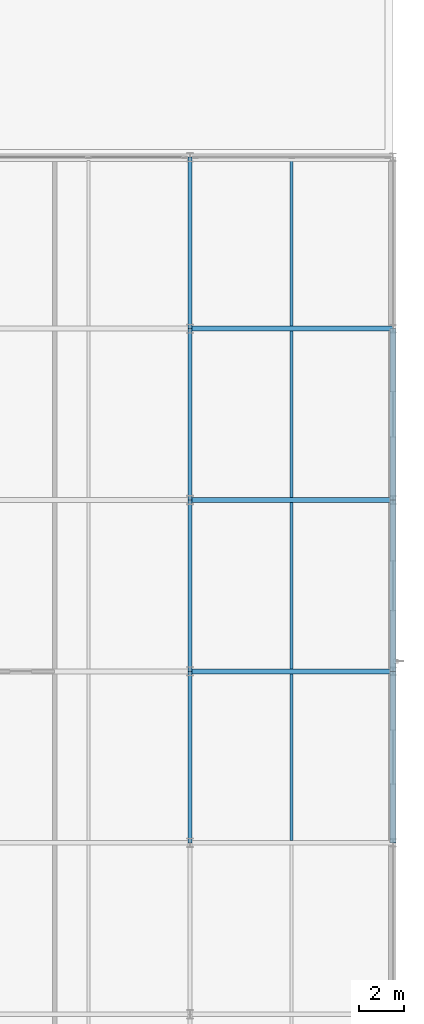
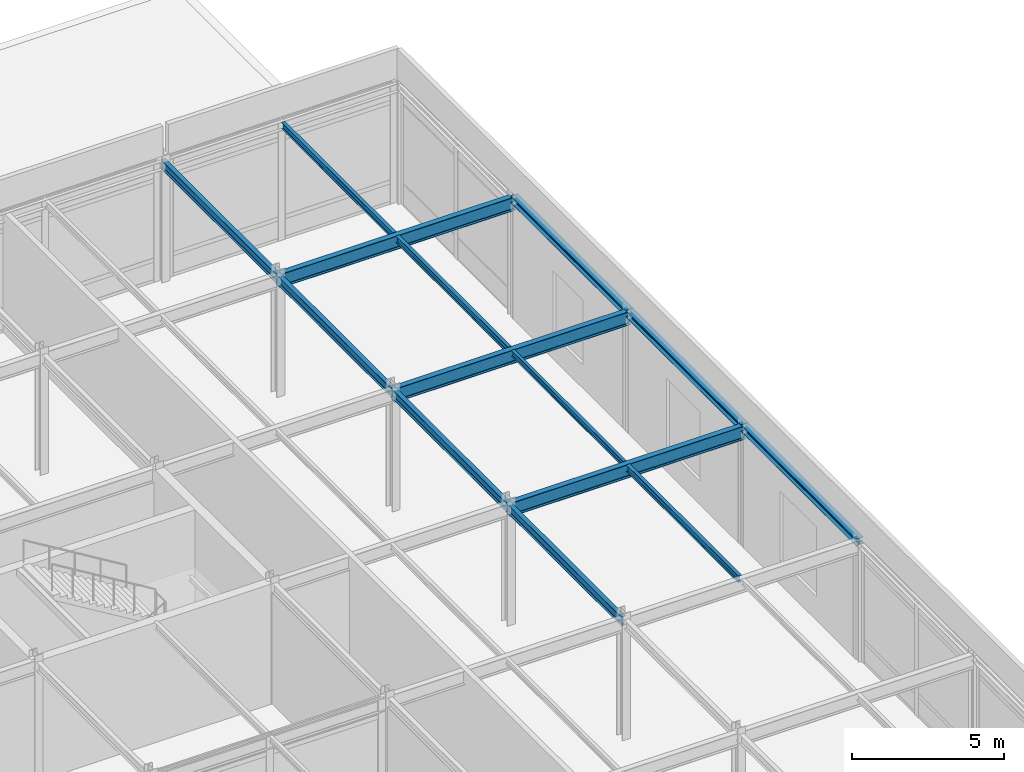
# One storey, part 47 of 79: 14 beams.
"""IFC4 building model written with IfcOpenShell, lengths in metres."""

import ifcopenshell
import ifcopenshell.guid

model = None  # the IFC model being written
_history = None  # IfcOwnerHistory: only IFC2X3 demands one
_inside = {}  # id of a spatial element -> (the spatial element, [elements in it])
_under = {}  # id of a project, library or spatial element -> (it, [spatial elements below it])
_declared = {}  # id of a project -> (the project, [libraries it declares])
_typed = {}  # id of a type object -> (the type object, [elements of that type])
_made_of = {}  # id of a material, layer set ... -> (it, [elements and type objects made of it])


def new_model(schema):
    """Start an empty IFC model of exactly this schema.

    Asked for "IFC4X3", IfcOpenShell would pick the latest addendum, in which some entities
    have other attributes; the version numbers below select the first issue.
    IFC2X3 requires an IfcOwnerHistory on every rooted entity: one is made here for all.
    """
    global model, _history
    if schema == "IFC4X3":
        model = ifcopenshell.file(schema_version=(4, 3, 0, 0))
    else:
        model = ifcopenshell.file(schema=schema)
    _inside.clear()
    _under.clear()
    _declared.clear()
    _typed.clear()
    _made_of.clear()
    _history = None
    if model.schema == "IFC2X3":
        org = make("IfcOrganization", Name="unknown")
        user = make(
            "IfcPersonAndOrganization",
            ThePerson=make("IfcPerson", FamilyName="unknown"),
            TheOrganization=org,
        )
        app = make(
            "IfcApplication",
            ApplicationDeveloper=org,
            Version="unknown",
            ApplicationFullName="unknown",
            ApplicationIdentifier="unknown",
        )
        _history = make(
            "IfcOwnerHistory",
            OwningUser=user,
            OwningApplication=app,
            ChangeAction="ADDED",
            CreationDate=0,
        )
    return model


def make(cls, **values):
    """One entity of the class cls with the attributes given. An attribute that is None is left unset."""
    return model.create_entity(
        cls, **{name: value for name, value in values.items() if value is not None}
    )


def rooted(cls, **values):
    """An entity with a GlobalId (a new one), such as an element, a storey or a relation."""
    return make(cls, GlobalId=ifcopenshell.guid.new(), OwnerHistory=_history, **values)


def si_unit(unit_type, name, prefix=None):
    """IfcSIUnit, for example si_unit("LENGTHUNIT", "METRE", prefix="MILLI")."""
    return make("IfcSIUnit", UnitType=unit_type, Prefix=prefix, Name=name)


def assignment(units):
    """IfcUnitAssignment: the units of a project."""
    return None if units is None else make("IfcUnitAssignment", Units=units)


def point(xyz):
    """IfcCartesianPoint."""
    return None if xyz is None else make("IfcCartesianPoint", Coordinates=xyz)


def direction(xyz):
    """IfcDirection."""
    return None if xyz is None else make("IfcDirection", DirectionRatios=xyz)


def frame(location, z_axis=None, x_axis=None):
    """IfcAxis2Placement3D, a coordinate frame: its origin and axes. An axis left out is left unset."""
    return make(
        "IfcAxis2Placement3D",
        Location=point(location),
        Axis=direction(z_axis),
        RefDirection=direction(x_axis),
    )


def frame_2d(location, x_axis=None):
    """IfcAxis2Placement2D, a coordinate frame in the plane: its origin and x axis."""
    return make(
        "IfcAxis2Placement2D", Location=point(location), RefDirection=direction(x_axis)
    )


def origin():
    """The frame at (0, 0, 0) with its axes left unset."""
    return frame((0.0, 0.0, 0.0))


def origin_2d():
    """The frame at (0, 0) in the plane with its x axis left unset."""
    return frame_2d((0.0, 0.0))


def place(relative_to, where):
    """IfcLocalPlacement: puts the frame where relative to a parent placement (None: the world)."""
    return make(
        "IfcLocalPlacement", PlacementRelTo=relative_to, RelativePlacement=where
    )


def context(
    kind, dimensions, precision=None, world=None, true_north=None, identifier=None
):
    """IfcGeometricRepresentationContext, for example the 3D "Model" context."""
    return make(
        "IfcGeometricRepresentationContext",
        ContextIdentifier=identifier,
        ContextType=kind,
        CoordinateSpaceDimension=dimensions,
        Precision=precision,
        WorldCoordinateSystem=world,
        TrueNorth=true_north,
    )


def subcontext(parent, identifier, kind, view, scale=None):
    """IfcGeometricRepresentationSubContext, for example "Body" below "Model"."""
    return make(
        "IfcGeometricRepresentationSubContext",
        ContextIdentifier=identifier,
        ContextType=kind,
        ParentContext=parent,
        TargetScale=scale,
        TargetView=view,
    )


def project(units=None, contexts=None):
    """IfcProject with its units and contexts."""
    return rooted(
        "IfcProject",
        Name="project",
        RepresentationContexts=contexts,
        UnitsInContext=assignment(units),
    )


def spatial(cls, under=None, at=None, **own):
    """A site, building, storey or space (cls), placed at a placement, below another one or the project."""
    s = rooted(cls, ObjectPlacement=at, **own)
    if under is not None:
        _under.setdefault(under.id(), (under, []))[1].append(s)
    return s


def profile(cls, at=None, kind="AREA", **sizes):
    """A parametric profile (cls). Its sizes go by their IFC names, for example OverallWidth=200.0."""
    return make(cls, ProfileType=kind, Position=at, **sizes)


def i_section(**sizes):
    """IfcIShapeProfileDef."""
    return profile("IfcIShapeProfileDef", **sizes)


def extrude(swept, where, along, depth):
    """IfcExtrudedAreaSolid: the profile swept, set in the frame where, extruded along a direction by depth."""
    return make(
        "IfcExtrudedAreaSolid",
        SweptArea=swept,
        Position=where,
        ExtrudedDirection=direction(along),
        Depth=depth,
    )


def shape(context_of_items, identifier, shape_type, items):
    """IfcShapeRepresentation: the items that make up one representation, for example the "Body"."""
    return make(
        "IfcShapeRepresentation",
        ContextOfItems=context_of_items,
        RepresentationIdentifier=identifier,
        RepresentationType=shape_type,
        Items=items,
    )


def material(Name=None, Category=None):
    """IfcMaterial."""
    return make("IfcMaterial", Name=Name, Category=Category)


def material_profile(
    of_material, cross_section, Name=None, Category=None, Priority=None
):
    """IfcMaterialProfile: a cross section and its material."""
    return make(
        "IfcMaterialProfile",
        Name=Name,
        Material=of_material,
        Profile=cross_section,
        Priority=Priority,
        Category=Category,
    )


def profile_set(profiles, Name=None, composite=None):
    """IfcMaterialProfileSet."""
    return make(
        "IfcMaterialProfileSet",
        Name=Name,
        MaterialProfiles=profiles,
        CompositeProfile=composite,
    )


def made_of(thing, what):
    """Note that an element or type object is made of a material, layer set ...; save() writes the relation."""
    if what is not None:
        _made_of.setdefault(what.id(), (what, []))[1].append(thing)
    return thing


def type_object(cls, material=None, **own):
    """A type object (cls), such as IfcWallType, which elements share."""
    return made_of(rooted(cls, **own), material)


def element(
    cls,
    number,
    at=None,
    inside=None,
    cuts=None,
    type_object=None,
    material=None,
    context=None,
    identifier="Body",
    shape_type=None,
    held_by="IfcProductDefinitionShape",
    body=None,
    shapes=None,
    **own,
):
    """One element of the class cls, such as IfcWall. Its Tag is "e" and its number.

    at: its placement. inside: the storey or other place that contains it. cuts: it is an
    opening in that element (IfcRelVoidsElement). A single representation is given by context,
    identifier, shape_type and body (its items); several are given by shapes. held_by: the class
    of the entity that holds the representations. save() writes the other relations.
    """
    e = rooted(cls, Tag="e%d" % number, ObjectPlacement=at, **own)
    if body is not None:
        shapes = [shape(context, identifier, shape_type, body)]
    if shapes is not None:
        e.Representation = make(held_by, Representations=shapes)
    if inside is not None:
        _inside.setdefault(inside.id(), (inside, []))[1].append(e)
    if cuts is not None:
        rooted(
            "IfcRelVoidsElement", RelatingBuildingElement=cuts, RelatedOpeningElement=e
        )
    if type_object is not None:
        _typed.setdefault(type_object.id(), (type_object, []))[1].append(e)
    return made_of(e, material)


def aggregate(whole, parts):
    """IfcRelAggregates: a whole, such as a stair, and the parts it consists of."""
    return rooted("IfcRelAggregates", RelatingObject=whole, RelatedObjects=parts)


def save(model, path):
    """Write the relations noted so far, then the file.

    IfcRelAggregates (storeys below a building ...), IfcRelContainedInSpatialStructure (elements
    in a storey), IfcRelDefinesByType, IfcRelAssociatesMaterial and IfcRelDeclares: one each for
    every whole, place, type object, material and project.
    """
    for whole, parts in _under.values():
        aggregate(whole, parts)
    for where, things in _inside.values():
        rooted(
            "IfcRelContainedInSpatialStructure",
            RelatedElements=things,
            RelatingStructure=where,
        )
    for kind, things in _typed.values():
        rooted("IfcRelDefinesByType", RelatedObjects=things, RelatingType=kind)
    for what, things in _made_of.values():
        rooted("IfcRelAssociatesMaterial", RelatedObjects=things, RelatingMaterial=what)
    for by, libraries in _declared.values():
        rooted("IfcRelDeclares", RelatingContext=by, RelatedDefinitions=libraries)
    model.write(path)


model = new_model("IFC4")

# Units and contexts
model_context = context("Model", 3, precision=1e-05, world=origin(), true_north=direction((0.0, 1.0)))
body_context = subcontext(model_context, "Body", "Model", "MODEL_VIEW")
ifc_project = project(units=[si_unit("LENGTHUNIT", "METRE"), si_unit("AREAUNIT", "SQUARE_METRE"), si_unit("VOLUMEUNIT", "CUBIC_METRE"), si_unit("PLANEANGLEUNIT", "RADIAN"), si_unit("MASSUNIT", "GRAM", prefix="KILO")], contexts=[model_context])

# Site, building, storey
site_placement = place(None, origin())
site = spatial("IfcSite", under=ifc_project, at=site_placement, CompositionType="ELEMENT")
building_placement = place(site_placement, origin())
building = spatial("IfcBuilding", under=site, at=building_placement, Name="Shalkamar Park Central Library", CompositionType="ELEMENT")
storey_placement = place(building_placement, frame((0.0, 0.0, 10.5)))
storey = spatial("IfcBuildingStorey", under=building, at=storey_placement, Name="L03", CompositionType="ELEMENT", Elevation=10.5)

# Beams
ifc_material = material(Name="Steel S355", Category="steel")
ifc_material_profile_1 = material_profile(ifc_material, i_section(OverallWidth=0.1201171875, OverallDepth=0.239990234375, WebThickness=0.006103515625, FlangeThickness=0.009765625, FilletRadius=0.014892578125, at=origin_2d()), Name="IPE 240")
ifc_profile_set_1 = profile_set([ifc_material_profile_1], Name="Steel S355")
beam_type_1 = type_object("IfcBeamType", Name="Composite Floor Joist IPE240", PredefinedType="JOIST", material=ifc_profile_set_1)
beam_1_placement = place(storey_placement, frame((268.5, 300.903076171875, 4.72998046875), z_axis=(0.0, 1.0, 0.0), x_axis=(-1.0, 0.0, 0.0)))
element("IfcBeam", 1, at=beam_1_placement, inside=storey, type_object=beam_type_1, Name="Composite Joist 19/J-1 (L03)", PredefinedType="JOIST", context=body_context, shape_type="SweptSolid", body=[
    extrude(i_section(OverallWidth=0.1201171875, OverallDepth=0.239990234375, WebThickness=0.006103515625, FlangeThickness=0.009765625, FilletRadius=0.014892578125, at=origin_2d()), origin(), (0.0, 0.0, 1.0), 7.39404296875),
])
ifc_material_profile_2 = material_profile(ifc_material, i_section(OverallWidth=0.135009765625, OverallDepth=0.27001953125, WebThickness=0.006591796875, FlangeThickness=0.01025390625, FilletRadius=0.014892578125, at=origin_2d()), Name="IPE 270")
ifc_profile_set_2 = profile_set([ifc_material_profile_2], Name="Steel S355")
beam_type_2 = type_object("IfcBeamType", Name="Composite Floor Joist IPE270", PredefinedType="JOIST", material=ifc_profile_set_2)
for number, where, z_axis, x_axis, name in (
    (2, (268.5, 293.302978515625, 4.715087890625), (0.0, 1.0, 0.0), (-1.0, 0.0, 0.0), "Composite Joist 19/H-1 (L03)"),
    (3, (268.5, 308.5029296875, 4.715087890625), (0.0, 1.0, 0.0), (-1.0, 0.0, 0.0), "Composite Joist 19/K-1 (L03)"),
):
    element("IfcBeam", number, at=place(storey_placement, frame(where, z_axis=z_axis, x_axis=x_axis)), inside=storey, type_object=beam_type_2, Name=name, PredefinedType="JOIST", context=body_context, shape_type="SweptSolid", body=[
        extrude(i_section(OverallWidth=0.135009765625, OverallDepth=0.27001953125, WebThickness=0.006591796875, FlangeThickness=0.01025390625, FilletRadius=0.014892578125, at=origin_2d()), origin(), (0.0, 0.0, 1.0), 7.39404296875),
    ])
beam_2_placement = place(storey_placement, frame((268.5, 316.10302734375, 4.715087890625), z_axis=(0.0, 1.0, 0.0), x_axis=(-1.0, 0.0, 0.0)))
element("IfcBeam", 4, at=beam_2_placement, inside=storey, type_object=beam_type_2, Name="Composite Joist 19/L-1 (L03)", PredefinedType="JOIST", context=body_context, shape_type="SweptSolid", body=[
    extrude(i_section(OverallWidth=0.135009765625, OverallDepth=0.27001953125, WebThickness=0.006591796875, FlangeThickness=0.01025390625, FilletRadius=0.014892578125, at=origin_2d()), origin(), (0.0, 0.0, 1.0), 7.348876953125),
])
ifc_material_profile_3 = material_profile(ifc_material, i_section(OverallWidth=0.280029296875, OverallDepth=0.27001953125, WebThickness=0.008056640625, FlangeThickness=0.012939453125, FilletRadius=0.02392578125, at=origin_2d()), Name="HEA 280")
ifc_profile_set_3 = profile_set([ifc_material_profile_3], Name="Steel S355")
beam_type_3 = type_object("IfcBeamType", Name="Perimeter Spandrel Beam HEA280", PredefinedType="SPANDREL", material=ifc_profile_set_3)
beam_3_placement = place(storey_placement, frame((273.0, 293.199951171875, 4.715087890625), z_axis=(0.0, 1.0, 0.0), x_axis=(-1.0, 0.0, 0.0)))
element("IfcBeam", 5, at=beam_3_placement, inside=storey, type_object=beam_type_3, Name="Beam 20:H-J (L03)", PredefinedType="SPANDREL", context=body_context, shape_type="SweptSolid", body=[
    extrude(i_section(OverallWidth=0.280029296875, OverallDepth=0.27001953125, WebThickness=0.008056640625, FlangeThickness=0.012939453125, FilletRadius=0.02392578125, at=origin_2d()), origin(), (0.0, 0.0, 1.0), 7.60009765625),
])
beam_4_placement = place(storey_placement, frame((273.0, 300.800048828125, 4.715087890625), z_axis=(0.0, 1.0, 0.0), x_axis=(-1.0, 0.0, 0.0)))
element("IfcBeam", 6, at=beam_4_placement, inside=storey, type_object=beam_type_3, Name="Beam 20:J-K (L03)", PredefinedType="SPANDREL", context=body_context, shape_type="SweptSolid", body=[
    extrude(i_section(OverallWidth=0.280029296875, OverallDepth=0.27001953125, WebThickness=0.008056640625, FlangeThickness=0.012939453125, FilletRadius=0.02392578125, at=origin_2d()), origin(), (0.0, 0.0, 1.0), 7.599853515625),
])
beam_5_placement = place(storey_placement, frame((273.0, 308.39990234375, 4.715087890625), z_axis=(0.0, 1.0, 0.0), x_axis=(-1.0, 0.0, 0.0)))
element("IfcBeam", 7, at=beam_5_placement, inside=storey, type_object=beam_type_3, Name="Beam 20:K-L (L03)", PredefinedType="SPANDREL", context=body_context, shape_type="SweptSolid", body=[
    extrude(i_section(OverallWidth=0.280029296875, OverallDepth=0.27001953125, WebThickness=0.008056640625, FlangeThickness=0.012939453125, FilletRadius=0.02392578125, at=origin_2d()), origin(), (0.0, 0.0, 1.0), 7.60009765625),
])
ifc_material_profile_4 = material_profile(ifc_material, i_section(OverallWidth=0.169921875, OverallDepth=0.360107421875, WebThickness=0.008056640625, FlangeThickness=0.0126953125, FilletRadius=0.01806640625, at=origin_2d()), Name="IPE 360")
ifc_profile_set_4 = profile_set([ifc_material_profile_4], Name="Steel S355")
beam_type_4 = type_object("IfcBeamType", Name="Primary Girder IPE360", PredefinedType="BEAM", material=ifc_profile_set_4)
beam_6_placement = place(storey_placement, frame((264.0, 293.199951171875, 4.659912109375), z_axis=(0.0, 1.0, 0.0), x_axis=(-1.0, 0.0, 0.0)))
element("IfcBeam", 8, at=beam_6_placement, inside=storey, type_object=beam_type_4, Name="Beam 19:H-J (L03)", PredefinedType="BEAM", context=body_context, shape_type="SweptSolid", body=[
    extrude(i_section(OverallWidth=0.169921875, OverallDepth=0.360107421875, WebThickness=0.008056640625, FlangeThickness=0.0126953125, FilletRadius=0.01806640625, at=origin_2d()), origin(), (0.0, 0.0, 1.0), 7.60009765625),
])
beam_7_placement = place(storey_placement, frame((264.0, 300.800048828125, 4.659912109375), z_axis=(0.0, 1.0, 0.0), x_axis=(-1.0, 0.0, 0.0)))
element("IfcBeam", 9, at=beam_7_placement, inside=storey, type_object=beam_type_4, Name="Beam 19:J-K (L03)", PredefinedType="BEAM", context=body_context, shape_type="SweptSolid", body=[
    extrude(i_section(OverallWidth=0.169921875, OverallDepth=0.360107421875, WebThickness=0.008056640625, FlangeThickness=0.0126953125, FilletRadius=0.01806640625, at=origin_2d()), origin(), (0.0, 0.0, 1.0), 7.599853515625),
])
for number, where, z_axis, x_axis, name in (
    (10, (264.0, 308.39990234375, 4.659912109375), (0.0, 1.0, 0.0), (-1.0, 0.0, 0.0), "Beam 19:K-L (L03)"),
    (11, (264.0, 316.0, 4.659912109375), (0.0, 1.0, 0.0), (-1.0, 0.0, 0.0), "Beam 19:L-M (L03)"),
):
    element("IfcBeam", number, at=place(storey_placement, frame(where, z_axis=z_axis, x_axis=x_axis)), inside=storey, type_object=beam_type_4, Name=name, PredefinedType="BEAM", context=body_context, shape_type="SweptSolid", body=[
        extrude(i_section(OverallWidth=0.169921875, OverallDepth=0.360107421875, WebThickness=0.008056640625, FlangeThickness=0.0126953125, FilletRadius=0.01806640625, at=origin_2d()), origin(), (0.0, 0.0, 1.0), 7.60009765625),
    ])
ifc_material_profile_5 = material_profile(ifc_material, i_section(OverallWidth=0.2099609375, OverallDepth=0.550048828125, WebThickness=0.010986328125, FlangeThickness=0.01708984375, FilletRadius=0.02392578125, at=origin_2d()), Name="IPE 550")
ifc_profile_set_5 = profile_set([ifc_material_profile_5], Name="Steel S355")
beam_type_5 = type_object("IfcBeamType", Name="Primary Girder IPE550", PredefinedType="BEAM", material=ifc_profile_set_5)
for number, where, z_axis, x_axis, name in (
    (12, (264.0, 300.800048828125, 4.56494140625), (1.0, 0.0, 0.0), (0.0, 1.0, 0.0), "Beam J:19-20 (L03)"),
    (13, (264.0, 308.39990234375, 4.56494140625), (1.0, 0.0, 0.0), (0.0, 1.0, 0.0), "Beam K:19-20 (L03)"),
    (14, (264.0, 316.0, 4.56494140625), (1.0, 0.0, 0.0), (0.0, 1.0, 0.0), "Beam L:19-20 (L03)"),
):
    element("IfcBeam", number, at=place(storey_placement, frame(where, z_axis=z_axis, x_axis=x_axis)), inside=storey, type_object=beam_type_5, Name=name, PredefinedType="BEAM", context=body_context, shape_type="SweptSolid", body=[
        extrude(i_section(OverallWidth=0.2099609375, OverallDepth=0.550048828125, WebThickness=0.010986328125, FlangeThickness=0.01708984375, FilletRadius=0.02392578125, at=origin_2d()), origin(), (0.0, 0.0, 1.0), 9.0),
    ])

save(model, "model.ifc")
